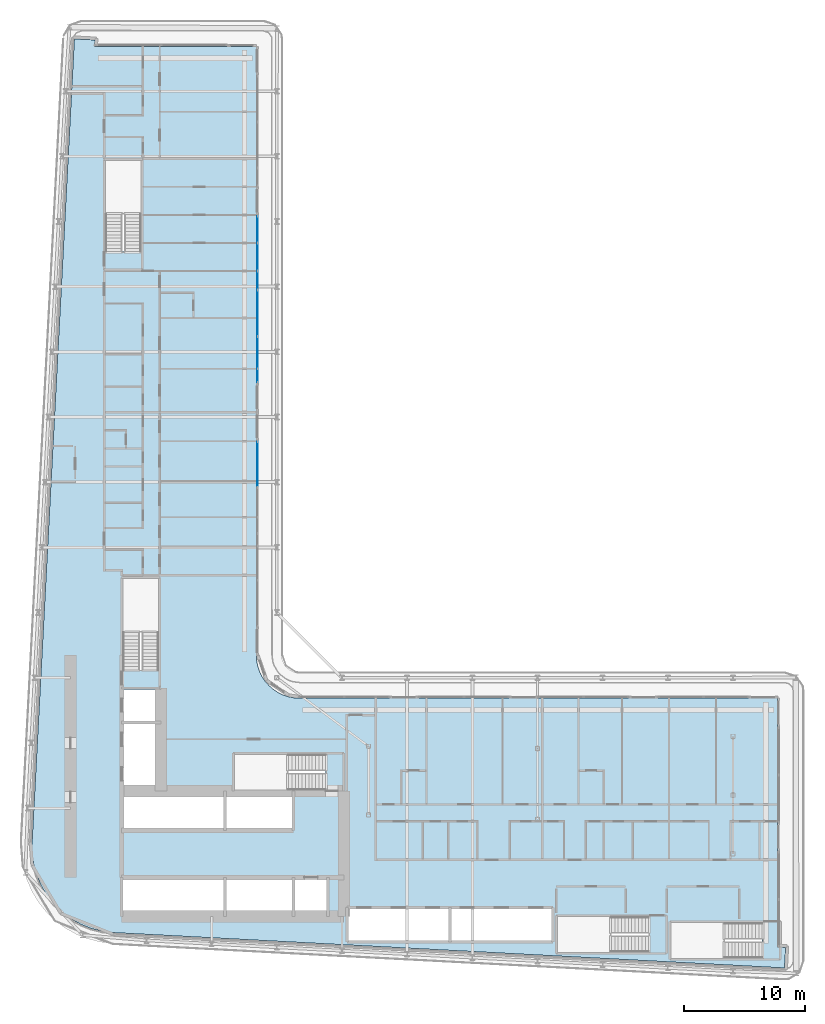
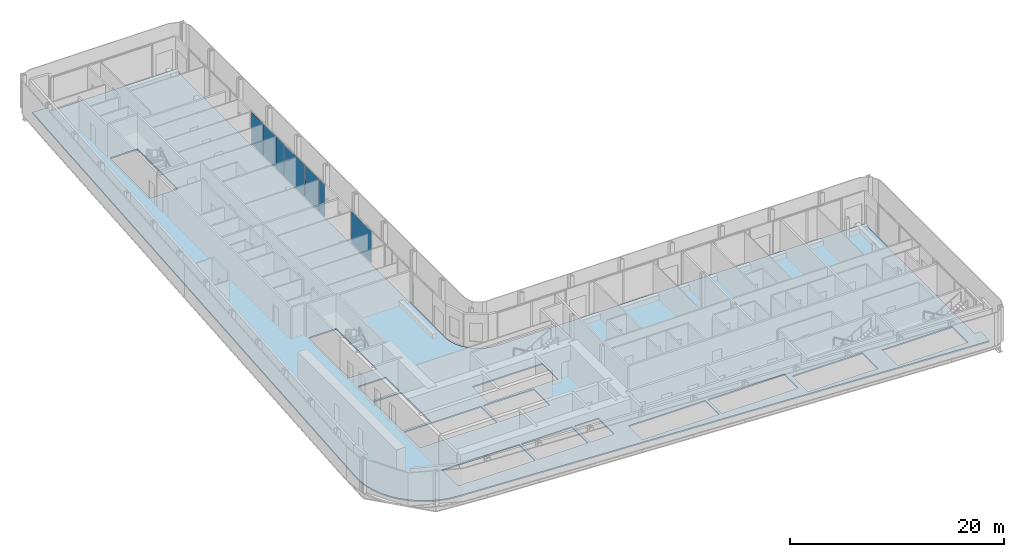
# One storey, part 10 of 25: 7 plates, 1 slab, 3 elements without a shape of their own.
"""IFC4 building model written with IfcOpenShell, lengths in metres."""

import ifcopenshell
import ifcopenshell.guid

model = None  # the IFC model being written
_history = None  # IfcOwnerHistory: only IFC2X3 demands one
_inside = {}  # id of a spatial element -> (the spatial element, [elements in it])
_under = {}  # id of a project, library or spatial element -> (it, [spatial elements below it])
_declared = {}  # id of a project -> (the project, [libraries it declares])
_typed = {}  # id of a type object -> (the type object, [elements of that type])
_made_of = {}  # id of a material, layer set ... -> (it, [elements and type objects made of it])


def new_model(schema):
    """Start an empty IFC model of exactly this schema.

    Asked for "IFC4X3", IfcOpenShell would pick the latest addendum, in which some entities
    have other attributes; the version numbers below select the first issue.
    IFC2X3 requires an IfcOwnerHistory on every rooted entity: one is made here for all.
    """
    global model, _history
    if schema == "IFC4X3":
        model = ifcopenshell.file(schema_version=(4, 3, 0, 0))
    else:
        model = ifcopenshell.file(schema=schema)
    _inside.clear()
    _under.clear()
    _declared.clear()
    _typed.clear()
    _made_of.clear()
    _history = None
    if model.schema == "IFC2X3":
        org = make("IfcOrganization", Name="unknown")
        user = make(
            "IfcPersonAndOrganization",
            ThePerson=make("IfcPerson", FamilyName="unknown"),
            TheOrganization=org,
        )
        app = make(
            "IfcApplication",
            ApplicationDeveloper=org,
            Version="unknown",
            ApplicationFullName="unknown",
            ApplicationIdentifier="unknown",
        )
        _history = make(
            "IfcOwnerHistory",
            OwningUser=user,
            OwningApplication=app,
            ChangeAction="ADDED",
            CreationDate=0,
        )
    return model


def make(cls, **values):
    """One entity of the class cls with the attributes given. An attribute that is None is left unset."""
    return model.create_entity(
        cls, **{name: value for name, value in values.items() if value is not None}
    )


def rooted(cls, **values):
    """An entity with a GlobalId (a new one), such as an element, a storey or a relation."""
    return make(cls, GlobalId=ifcopenshell.guid.new(), OwnerHistory=_history, **values)


def si_unit(unit_type, name, prefix=None):
    """IfcSIUnit, for example si_unit("LENGTHUNIT", "METRE", prefix="MILLI")."""
    return make("IfcSIUnit", UnitType=unit_type, Prefix=prefix, Name=name)


def assignment(units):
    """IfcUnitAssignment: the units of a project."""
    return None if units is None else make("IfcUnitAssignment", Units=units)


def point(xyz):
    """IfcCartesianPoint."""
    return None if xyz is None else make("IfcCartesianPoint", Coordinates=xyz)


def direction(xyz):
    """IfcDirection."""
    return None if xyz is None else make("IfcDirection", DirectionRatios=xyz)


def frame(location, z_axis=None, x_axis=None):
    """IfcAxis2Placement3D, a coordinate frame: its origin and axes. An axis left out is left unset."""
    return make(
        "IfcAxis2Placement3D",
        Location=point(location),
        Axis=direction(z_axis),
        RefDirection=direction(x_axis),
    )


def frame_2d(location, x_axis=None):
    """IfcAxis2Placement2D, a coordinate frame in the plane: its origin and x axis."""
    return make(
        "IfcAxis2Placement2D", Location=point(location), RefDirection=direction(x_axis)
    )


def origin():
    """The frame at (0, 0, 0) with its axes left unset."""
    return frame((0.0, 0.0, 0.0))


def origin_2d():
    """The frame at (0, 0) in the plane with its x axis left unset."""
    return frame_2d((0.0, 0.0))


def place(relative_to, where):
    """IfcLocalPlacement: puts the frame where relative to a parent placement (None: the world)."""
    return make(
        "IfcLocalPlacement", PlacementRelTo=relative_to, RelativePlacement=where
    )


def context(
    kind, dimensions, precision=None, world=None, true_north=None, identifier=None
):
    """IfcGeometricRepresentationContext, for example the 3D "Model" context."""
    return make(
        "IfcGeometricRepresentationContext",
        ContextIdentifier=identifier,
        ContextType=kind,
        CoordinateSpaceDimension=dimensions,
        Precision=precision,
        WorldCoordinateSystem=world,
        TrueNorth=true_north,
    )


def subcontext(parent, identifier, kind, view, scale=None):
    """IfcGeometricRepresentationSubContext, for example "Body" below "Model"."""
    return make(
        "IfcGeometricRepresentationSubContext",
        ContextIdentifier=identifier,
        ContextType=kind,
        ParentContext=parent,
        TargetScale=scale,
        TargetView=view,
    )


def project(units=None, contexts=None):
    """IfcProject with its units and contexts."""
    return rooted(
        "IfcProject",
        Name="project",
        RepresentationContexts=contexts,
        UnitsInContext=assignment(units),
    )


def spatial(cls, under=None, at=None, **own):
    """A site, building, storey or space (cls), placed at a placement, below another one or the project."""
    s = rooted(cls, ObjectPlacement=at, **own)
    if under is not None:
        _under.setdefault(under.id(), (under, []))[1].append(s)
    return s


def polyline(points):
    """IfcPolyline through the points."""
    return make("IfcPolyline", Points=[point(p) for p in points])


def profile(cls, at=None, kind="AREA", **sizes):
    """A parametric profile (cls). Its sizes go by their IFC names, for example OverallWidth=200.0."""
    return make(cls, ProfileType=kind, Position=at, **sizes)


def rectangle(**sizes):
    """IfcRectangleProfileDef."""
    return profile("IfcRectangleProfileDef", **sizes)


def outline(outer, holes=None, kind="AREA"):
    """IfcArbitraryClosedProfileDef: a profile drawn as a closed curve; with holes, ...WithVoids."""
    if holes is None:
        return make("IfcArbitraryClosedProfileDef", ProfileType=kind, OuterCurve=outer)
    return make(
        "IfcArbitraryProfileDefWithVoids",
        ProfileType=kind,
        OuterCurve=outer,
        InnerCurves=holes,
    )


def extrude(swept, where, along, depth):
    """IfcExtrudedAreaSolid: the profile swept, set in the frame where, extruded along a direction by depth."""
    return make(
        "IfcExtrudedAreaSolid",
        SweptArea=swept,
        Position=where,
        ExtrudedDirection=direction(along),
        Depth=depth,
    )


def shape(context_of_items, identifier, shape_type, items):
    """IfcShapeRepresentation: the items that make up one representation, for example the "Body"."""
    return make(
        "IfcShapeRepresentation",
        ContextOfItems=context_of_items,
        RepresentationIdentifier=identifier,
        RepresentationType=shape_type,
        Items=items,
    )


def material(Name=None, Category=None):
    """IfcMaterial."""
    return make("IfcMaterial", Name=Name, Category=Category)


def layer(
    of_material, thickness, ventilated=None, Name=None, Category=None, Priority=None
):
    """IfcMaterialLayer: one layer of a wall or slab, of a material (None: an air gap)."""
    return make(
        "IfcMaterialLayer",
        Material=of_material,
        LayerThickness=thickness,
        IsVentilated=ventilated,
        Name=Name,
        Category=Category,
        Priority=Priority,
    )


def layer_set(layers, Name=None):
    """IfcMaterialLayerSet."""
    return make("IfcMaterialLayerSet", MaterialLayers=layers, LayerSetName=Name)


def made_of(thing, what):
    """Note that an element or type object is made of a material, layer set ...; save() writes the relation."""
    if what is not None:
        _made_of.setdefault(what.id(), (what, []))[1].append(thing)
    return thing


def type_object(cls, material=None, **own):
    """A type object (cls), such as IfcWallType, which elements share."""
    return made_of(rooted(cls, **own), material)


def element(
    cls,
    number,
    at=None,
    inside=None,
    cuts=None,
    type_object=None,
    material=None,
    context=None,
    identifier="Body",
    shape_type=None,
    held_by="IfcProductDefinitionShape",
    body=None,
    shapes=None,
    **own,
):
    """One element of the class cls, such as IfcWall. Its Tag is "e" and its number.

    at: its placement. inside: the storey or other place that contains it. cuts: it is an
    opening in that element (IfcRelVoidsElement). A single representation is given by context,
    identifier, shape_type and body (its items); several are given by shapes. held_by: the class
    of the entity that holds the representations. save() writes the other relations.
    """
    e = rooted(cls, Tag="e%d" % number, ObjectPlacement=at, **own)
    if body is not None:
        shapes = [shape(context, identifier, shape_type, body)]
    if shapes is not None:
        e.Representation = make(held_by, Representations=shapes)
    if inside is not None:
        _inside.setdefault(inside.id(), (inside, []))[1].append(e)
    if cuts is not None:
        rooted(
            "IfcRelVoidsElement", RelatingBuildingElement=cuts, RelatedOpeningElement=e
        )
    if type_object is not None:
        _typed.setdefault(type_object.id(), (type_object, []))[1].append(e)
    return made_of(e, material)


def aggregate(whole, parts):
    """IfcRelAggregates: a whole, such as a stair, and the parts it consists of."""
    return rooted("IfcRelAggregates", RelatingObject=whole, RelatedObjects=parts)


def save(model, path):
    """Write the relations noted so far, then the file.

    IfcRelAggregates (storeys below a building ...), IfcRelContainedInSpatialStructure (elements
    in a storey), IfcRelDefinesByType, IfcRelAssociatesMaterial and IfcRelDeclares: one each for
    every whole, place, type object, material and project.
    """
    for whole, parts in _under.values():
        aggregate(whole, parts)
    for where, things in _inside.values():
        rooted(
            "IfcRelContainedInSpatialStructure",
            RelatedElements=things,
            RelatingStructure=where,
        )
    for kind, things in _typed.values():
        rooted("IfcRelDefinesByType", RelatedObjects=things, RelatingType=kind)
    for what, things in _made_of.values():
        rooted("IfcRelAssociatesMaterial", RelatedObjects=things, RelatingMaterial=what)
    for by, libraries in _declared.values():
        rooted("IfcRelDeclares", RelatingContext=by, RelatedDefinitions=libraries)
    model.write(path)


model = new_model("IFC4")

# Units and contexts
model_context = context("Model", 3, precision=1e-05, world=origin(), true_north=direction((0.0, 1.0)))
body_context = subcontext(model_context, "Body", "Model", "MODEL_VIEW")
ifc_project = project(units=[si_unit("LENGTHUNIT", "METRE"), si_unit("AREAUNIT", "SQUARE_METRE"), si_unit("VOLUMEUNIT", "CUBIC_METRE"), si_unit("PLANEANGLEUNIT", "RADIAN"), si_unit("MASSUNIT", "GRAM", prefix="KILO")], contexts=[model_context])

# Site, building, storey
site_placement = place(None, origin())
site = spatial("IfcSite", under=ifc_project, at=site_placement, CompositionType="ELEMENT")
building_placement = place(site_placement, origin())
building = spatial("IfcBuilding", under=site, at=building_placement, Name="Kheshtan School and Residences Tower", CompositionType="ELEMENT")
storey_placement = place(building_placement, frame((0.0, 0.0, 34.39990234375)))
storey = spatial("IfcBuildingStorey", under=building, at=storey_placement, Name="L07", CompositionType="ELEMENT", Elevation=34.39990234375)

# Curtain wall, plates
ifc_material_1 = material(Name="Clear low-e glass in thermally broken aluminium frame", Category="aluminium")
ifc_layer_1 = layer(ifc_material_1, 0.199951171875)
ifc_layer_set_1 = layer_set([ifc_layer_1], Name="Curtain wall CW-L")
curtain_wall_type = type_object("IfcCurtainWallType", Name="Curtain wall CW-L", PredefinedType="NOTDEFINED", material=ifc_layer_set_1)
curtain_wall_1_placement = place(storey_placement, origin())
curtain_wall_1 = element("IfcCurtainWall", 1, at=curtain_wall_1_placement, inside=storey, type_object=curtain_wall_type, Name="Curtain wall CWL8b", PredefinedType="NOTDEFINED")
ifc_layer_2 = layer(ifc_material_1, 0.031982421875)
ifc_layer_set_2 = layer_set([ifc_layer_2], Name="CW-L glass panel")
plate_type = type_object("IfcPlateType", Name="CW-L glass panel", PredefinedType="CURTAIN_PANEL", material=ifc_layer_set_2)
plate_1_placement = place(storey_placement, frame((46.0, 82.75048828125, 0.000244140625), z_axis=(0.0, 0.0, 1.0), x_axis=(0.0, -1.0, 0.0)))
plate_1 = element("IfcPlate", 2, at=plate_1_placement, type_object=plate_type, Name="CWL8b panel 1.1", PredefinedType="CURTAIN_PANEL", context=body_context, shape_type="SweptSolid", body=[
    extrude(rectangle(XDim=2.19091796875, YDim=0.031982421875, at=origin_2d()), origin(), (0.0, 0.0, 1.0), 3.6298828125),
])
plate_2_placement = place(storey_placement, frame((46.0, 80.46240234375, 0.000244140625), z_axis=(0.0, 0.0, 1.0), x_axis=(0.0, -1.0, 0.0)))
plate_2 = element("IfcPlate", 3, at=plate_2_placement, type_object=plate_type, Name="CWL8b panel 2.1", PredefinedType="CURTAIN_PANEL", context=body_context, shape_type="SweptSolid", body=[
    extrude(rectangle(XDim=2.264892578125, YDim=0.031982421875, at=origin_2d()), origin(), (0.0, 0.0, 1.0), 3.6298828125),
])
plate_3_placement = place(storey_placement, frame((46.0, 78.52099609375, 0.000244140625), z_axis=(0.0, 0.0, 1.0), x_axis=(0.0, -1.0, 0.0)))
plate_3 = element("IfcPlate", 4, at=plate_3_placement, type_object=plate_type, Name="CWL8b panel 3.1", PredefinedType="CURTAIN_PANEL", context=body_context, shape_type="SweptSolid", body=[
    extrude(rectangle(XDim=1.498046875, YDim=0.031982421875, at=origin_2d()), origin(), (0.0, 0.0, 1.0), 3.6298828125),
])
aggregate(curtain_wall_1, [plate_1, plate_2, plate_3])

curtain_wall_2_placement = place(storey_placement, origin())
curtain_wall_2 = element("IfcCurtainWall", 5, at=curtain_wall_2_placement, inside=storey, type_object=curtain_wall_type, Name="Curtain wall CWL8c", PredefinedType="NOTDEFINED")
plate_4_placement = place(storey_placement, frame((46.0, 75.803466796875, 0.000244140625), z_axis=(0.0, 0.0, 1.0), x_axis=(0.0, -1.0, 0.0)))
plate_4 = element("IfcPlate", 6, at=plate_4_placement, type_object=plate_type, Name="CWL8c panel 1.1", PredefinedType="CURTAIN_PANEL", context=body_context, shape_type="SweptSolid", body=[
    extrude(rectangle(XDim=3.81689453125, YDim=0.031982421875, at=origin_2d()), origin(), (0.0, 0.0, 1.0), 3.6298828125),
])
plate_5_placement = place(storey_placement, frame((46.0, 72.532470703125, 0.000244140625), z_axis=(0.0, 0.0, 1.0), x_axis=(0.0, -1.0, 0.0)))
plate_5 = element("IfcPlate", 7, at=plate_5_placement, type_object=plate_type, Name="CWL8c panel 2.1", PredefinedType="CURTAIN_PANEL", context=body_context, shape_type="SweptSolid", body=[
    extrude(rectangle(XDim=2.60498046875, YDim=0.031982421875, at=origin_2d()), origin(), (0.0, 0.0, 1.0), 3.6298828125),
])
plate_6_placement = place(storey_placement, frame((46.0, 70.6240234375, 0.000244140625), z_axis=(0.0, 0.0, 1.0), x_axis=(0.0, -1.0, 0.0)))
plate_6 = element("IfcPlate", 8, at=plate_6_placement, type_object=plate_type, Name="CWL8c panel 3.1", PredefinedType="CURTAIN_PANEL", context=body_context, shape_type="SweptSolid", body=[
    extrude(rectangle(XDim=1.092041015625, YDim=0.031982421875, at=origin_2d()), origin(), (0.0, 0.0, 1.0), 3.6298828125),
])
aggregate(curtain_wall_2, [plate_4, plate_5, plate_6])

# Curtain wall, plate
curtain_wall_3_placement = place(storey_placement, origin())
curtain_wall_3 = element("IfcCurtainWall", 9, at=curtain_wall_3_placement, inside=storey, type_object=curtain_wall_type, Name="Curtain wall CWL8c", PredefinedType="NOTDEFINED")
plate_7_placement = place(storey_placement, frame((46.0, 63.279541015625, 0.000244140625), z_axis=(0.0, 0.0, 1.0), x_axis=(0.0, -1.0, 0.0)))
plate_7 = element("IfcPlate", 10, at=plate_7_placement, type_object=plate_type, Name="CWL8c panel 1.1", PredefinedType="CURTAIN_PANEL", context=body_context, shape_type="SweptSolid", body=[
    extrude(rectangle(XDim=3.757080078125, YDim=0.031982421875, at=origin_2d()), origin(), (0.0, 0.0, 1.0), 3.6298828125),
])
aggregate(curtain_wall_3, [plate_7])

# Slab
ifc_material_2 = material(Name="Concrete C40/50", Category="concrete")
ifc_layer_3 = layer(ifc_material_2, 0.14990234375)
ifc_layer_set_3 = layer_set([ifc_layer_3], Name="Floor slab 150 Concrete C40/50")
slab_type = type_object("IfcSlabType", Name="Floor slab 150 Concrete C40/50", PredefinedType="FLOOR", material=ifc_layer_set_3)
slab_placement = place(storey_placement, frame((0.0, 0.0, -0.14990234375)))
element("IfcSlab", 11, at=slab_placement, inside=storey, type_object=slab_type, Name="Floor slab L07", PredefinedType="FLOOR", context=body_context, shape_type="SweptSolid", body=[
    extrude(outline(polyline([(27.718017578125, 29.200927734375), (27.466064453125, 30.093017578125), (27.466064453125, 30.093994140625), (27.3330078125, 31.013916015625), (27.320068359375, 31.965087890625), (27.320068359375, 31.970947265625), (30.822021484375, 98.5009765625), (30.822998046875, 98.508056640625), (30.825927734375, 98.531005859375), (30.825927734375, 98.531982421875), (30.826904296875, 98.531982421875), (31.422119140625, 98.5), (31.423095703125, 98.5), (31.423095703125, 98.4990234375), (31.423095703125, 98.4951171875), (31.423095703125, 98.493896484375), (31.424072265625, 98.493896484375), (31.424072265625, 98.492919921875), (31.425048828125, 98.492919921875), (31.426025390625, 98.492919921875), (31.426025390625, 98.493896484375), (31.427978515625, 98.49609375), (31.428955078125, 98.4970703125), (31.429931640625, 98.498046875), (31.430908203125, 98.498046875), (31.430908203125, 98.4990234375), (31.431884765625, 98.4990234375), (31.431884765625, 98.5), (31.43505859375, 98.5009765625), (31.43603515625, 98.501953125), (31.43896484375, 98.501953125), (31.43994140625, 98.501953125), (31.43994140625, 98.5029296875), (31.44091796875, 98.5029296875), (31.446044921875, 98.5029296875), (32.5009765625, 98.447021484375), (32.50390625, 98.447021484375), (32.5048828125, 98.447021484375), (32.5048828125, 98.446044921875), (32.506103515625, 98.446044921875), (32.510009765625, 98.446044921875), (32.510009765625, 98.445068359375), (32.510986328125, 98.445068359375), (32.510986328125, 98.444091796875), (32.511962890625, 98.444091796875), (32.511962890625, 98.443115234375), (32.512939453125, 98.443115234375), (32.513916015625, 98.443115234375), (32.513916015625, 98.44189453125), (32.514892578125, 98.44189453125), (32.51611328125, 98.44189453125), (32.51904296875, 98.43896484375), (32.51904296875, 98.43798828125), (32.51904296875, 98.43701171875), (32.52001953125, 98.43701171875), (32.52001953125, 98.43603515625), (32.52099609375, 98.43603515625), (32.52099609375, 98.43408203125), (32.52099609375, 98.43310546875), (32.52197265625, 98.43310546875), (32.52197265625, 98.431884765625), (32.52294921875, 98.431884765625), (32.52294921875, 98.430908203125), (32.52294921875, 98.428955078125), (32.52294921875, 98.427978515625), (32.52392578125, 98.427978515625), (32.52392578125, 98.427001953125), (32.52392578125, 98.422119140625), (32.4970703125, 97.9208984375), (32.4970703125, 97.91796875), (32.4970703125, 97.9169921875), (32.49609375, 97.9169921875), (32.49609375, 97.916015625), (32.49609375, 97.912109375), (32.4951171875, 97.910888671875), (32.4951171875, 97.909912109375), (32.493896484375, 97.909912109375), (32.493896484375, 97.908935546875), (32.492919921875, 97.908935546875), (32.492919921875, 97.907958984375), (32.489013671875, 97.904052734375), (32.488037109375, 97.904052734375), (32.488037109375, 97.903076171875), (32.488037109375, 97.902099609375), (32.488037109375, 97.90087890625), (32.489013671875, 97.90087890625), (32.489013671875, 97.89990234375), (32.489990234375, 97.89990234375), (45.85498046875, 97.89990234375), (45.864990234375, 97.89794921875), (45.865966796875, 97.89794921875), (45.868896484375, 97.89599609375), (45.8740234375, 97.89404296875), (45.8779296875, 97.89208984375), (45.881103515625, 97.889892578125), (45.881103515625, 97.888916015625), (45.882080078125, 97.888916015625), (45.882080078125, 97.887939453125), (45.883056640625, 97.887939453125), (45.884033203125, 97.885009765625), (45.885009765625, 97.885009765625), (45.885009765625, 97.884033203125), (45.887939453125, 97.883056640625), (45.887939453125, 97.882080078125), (45.888916015625, 97.882080078125), (45.888916015625, 97.881103515625), (45.889892578125, 97.881103515625), (45.89208984375, 97.8779296875), (45.89404296875, 97.8740234375), (45.89599609375, 97.868896484375), (45.89794921875, 97.865966796875), (45.89794921875, 97.864990234375), (45.89990234375, 97.85498046875), (45.89990234375, 47.429931640625), (45.927001953125, 47.030029296875), (46.01806640625, 46.570068359375), (46.01806640625, 46.569091796875), (46.169921875, 46.1201171875), (46.37890625, 45.697021484375), (46.638916015625, 45.30810546875), (46.949951171875, 44.950927734375), (46.950927734375, 44.949951171875), (47.30810546875, 44.638916015625), (47.697021484375, 44.37890625), (48.1201171875, 44.169921875), (48.569091796875, 44.01806640625), (48.570068359375, 44.01806640625), (49.030029296875, 43.927001953125), (49.429931640625, 43.89990234375), (89.054931640625, 43.89990234375), (89.06494140625, 43.89794921875), (89.06591796875, 43.89794921875), (89.069091796875, 43.89599609375), (89.073974609375, 43.89404296875), (89.077880859375, 43.89208984375), (89.0810546875, 43.889892578125), (89.0810546875, 43.888916015625), (89.08203125, 43.888916015625), (89.08203125, 43.887939453125), (89.0830078125, 43.887939453125), (89.083984375, 43.885009765625), (89.0849609375, 43.885009765625), (89.0849609375, 43.884033203125), (89.087890625, 43.883056640625), (89.087890625, 43.882080078125), (89.089111328125, 43.882080078125), (89.089111328125, 43.881103515625), (89.090087890625, 43.881103515625), (89.092041015625, 43.8779296875), (89.093994140625, 43.8740234375), (89.095947265625, 43.868896484375), (89.097900390625, 43.865966796875), (89.097900390625, 43.864990234375), (89.10009765625, 43.85498046875), (89.10009765625, 23.278076171875), (89.10009765625, 23.277099609375), (89.10107421875, 23.277099609375), (89.10107421875, 23.27587890625), (89.10205078125, 23.27587890625), (89.10302734375, 23.27587890625), (89.10302734375, 23.277099609375), (89.10498046875, 23.279052734375), (89.10595703125, 23.280029296875), (89.10693359375, 23.281005859375), (89.10791015625, 23.281005859375), (89.10791015625, 23.281982421875), (89.10888671875, 23.281982421875), (89.10888671875, 23.282958984375), (89.110107421875, 23.282958984375), (89.112060546875, 23.283935546875), (89.113037109375, 23.284912109375), (89.115966796875, 23.284912109375), (89.116943359375, 23.284912109375), (89.116943359375, 23.285888671875), (89.117919921875, 23.285888671875), (89.123046875, 23.285888671875), (89.738037109375, 23.2529296875), (89.740966796875, 23.2529296875), (89.741943359375, 23.2529296875), (89.741943359375, 23.251953125), (89.742919921875, 23.251953125), (89.7470703125, 23.251953125), (89.7470703125, 23.2509765625), (89.748046875, 23.2509765625), (89.748046875, 23.25), (89.7490234375, 23.25), (89.7490234375, 23.2490234375), (89.75, 23.2490234375), (89.7509765625, 23.2490234375), (89.7509765625, 23.248046875), (89.751953125, 23.248046875), (89.7529296875, 23.248046875), (89.7529296875, 23.2470703125), (89.7548828125, 23.2451171875), (89.756103515625, 23.2451171875), (89.756103515625, 23.243896484375), (89.756103515625, 23.242919921875), (89.757080078125, 23.242919921875), (89.757080078125, 23.241943359375), (89.758056640625, 23.241943359375), (89.758056640625, 23.239990234375), (89.758056640625, 23.239013671875), (89.759033203125, 23.239013671875), (89.759033203125, 23.238037109375), (89.760009765625, 23.238037109375), (89.760009765625, 23.237060546875), (89.760009765625, 23.235107421875), (89.760009765625, 23.23388671875), (89.760986328125, 23.23388671875), (89.760986328125, 23.23291015625), (89.760986328125, 23.22802734375), (89.705078125, 22.169921875), (89.705078125, 22.1669921875), (89.705078125, 22.166015625), (89.7041015625, 22.166015625), (89.7041015625, 22.1650390625), (89.7041015625, 22.160888671875), (89.702880859375, 22.159912109375), (89.702880859375, 22.158935546875), (89.701904296875, 22.158935546875), (89.701904296875, 22.157958984375), (89.700927734375, 22.157958984375), (89.700927734375, 22.156982421875), (89.699951171875, 22.156005859375), (89.697998046875, 22.154052734375), (89.697021484375, 22.153076171875), (89.696044921875, 22.153076171875), (89.696044921875, 22.152099609375), (89.696044921875, 22.15087890625), (89.696044921875, 22.14990234375), (89.697021484375, 22.14990234375), (89.697021484375, 22.14892578125), (89.697998046875, 22.14892578125), (89.698974609375, 22.14892578125), (89.699951171875, 22.14892578125), (89.699951171875, 22.14794921875), (89.66796875, 21.553955078125), (89.66796875, 21.552978515625), (89.6669921875, 21.552978515625), (89.64306640625, 21.552001953125), (89.637939453125, 21.552001953125), (34.056884765625, 24.47802734375), (33.114990234375, 24.590087890625), (32.215087890625, 24.819091796875), (32.214111328125, 24.819091796875), (31.35205078125, 25.1630859375), (30.541015625, 25.616943359375), (29.799072265625, 26.1708984375), (29.799072265625, 26.172119140625), (29.798095703125, 26.172119140625), (29.134033203125, 26.820068359375), (29.134033203125, 26.821044921875), (29.133056640625, 26.821044921875), (28.55908203125, 27.550048828125), (28.0849609375, 28.345947265625), (27.718017578125, 29.200927734375)]), holes=[polyline([(89.10009765625, 22.155029296875), (89.10009765625, 22.15087890625), (89.10009765625, 22.14990234375), (89.10107421875, 22.14990234375), (89.10107421875, 22.14892578125), (89.10205078125, 22.14892578125), (89.10595703125, 22.14892578125), (89.10693359375, 22.14892578125), (89.10693359375, 22.14990234375), (89.10791015625, 22.14990234375), (89.10791015625, 22.15087890625), (89.10791015625, 22.152099609375), (89.10693359375, 22.152099609375), (89.10595703125, 22.153076171875), (89.10498046875, 22.154052734375), (89.10400390625, 22.155029296875), (89.10302734375, 22.156005859375), (89.10302734375, 22.156982421875), (89.10205078125, 22.156982421875), (89.10107421875, 22.156982421875), (89.10107421875, 22.156005859375), (89.10009765625, 22.156005859375), (89.10009765625, 22.155029296875)]), polyline([(31.423095703125, 97.906005859375), (31.423095703125, 97.902099609375), (31.423095703125, 97.90087890625), (31.424072265625, 97.90087890625), (31.424072265625, 97.89990234375), (31.425048828125, 97.89990234375), (31.428955078125, 97.89990234375), (31.429931640625, 97.89990234375), (31.429931640625, 97.90087890625), (31.430908203125, 97.90087890625), (31.430908203125, 97.902099609375), (31.430908203125, 97.903076171875), (31.429931640625, 97.903076171875), (31.428955078125, 97.904052734375), (31.427978515625, 97.905029296875), (31.427001953125, 97.906005859375), (31.426025390625, 97.906982421875), (31.426025390625, 97.907958984375), (31.425048828125, 97.907958984375), (31.424072265625, 97.907958984375), (31.424072265625, 97.906982421875), (31.423095703125, 97.906982421875), (31.423095703125, 97.906005859375)]), polyline([(34.875, 28.925048828125), (34.875, 25.925048828125), (43.175048828125, 25.925048828125), (43.175048828125, 28.925048828125), (34.875, 28.925048828125)]), polyline([(43.425048828125, 25.925048828125), (48.875, 25.925048828125), (48.875, 28.925048828125), (43.425048828125, 28.925048828125), (43.425048828125, 25.925048828125)]), polyline([(43.175048828125, 36.074951171875), (34.875, 36.074951171875), (34.875, 33.074951171875), (43.175048828125, 33.074951171875), (43.175048828125, 36.074951171875)]), polyline([(34.875, 41.77490234375), (34.875, 36.324951171875), (37.875, 36.324951171875), (37.875, 41.77490234375), (34.875, 41.77490234375)]), polyline([(34.875, 44.625), (34.875, 42.02490234375), (37.875, 42.02490234375), (37.875, 44.625), (34.875, 44.625)]), polyline([(37.800048828125, 46.25), (37.800048828125, 53.81005859375), (34.85009765625, 53.81005859375), (34.85009765625, 46.260009765625), (36.25, 46.260009765625), (36.25, 46.25), (37.800048828125, 46.25)]), polyline([(33.39990234375, 88.4599609375), (33.39990234375, 80.909912109375), (34.800048828125, 80.909912109375), (34.800048828125, 80.89990234375), (36.35009765625, 80.89990234375), (36.35009765625, 88.4599609375), (33.39990234375, 88.4599609375)]), polyline([(87.81005859375, 22.35009765625), (87.81005859375, 23.75), (87.820068359375, 23.75), (87.820068359375, 25.300048828125), (80.260009765625, 25.300048828125), (80.260009765625, 22.35009765625), (87.81005859375, 22.35009765625)]), polyline([(70.85009765625, 22.85009765625), (78.39990234375, 22.85009765625), (78.39990234375, 24.25), (78.409912109375, 24.25), (78.409912109375, 25.800048828125), (70.85009765625, 25.800048828125), (70.85009765625, 22.85009765625)]), polyline([(61.824951171875, 26.425048828125), (53.52490234375, 26.425048828125), (53.52490234375, 23.824951171875), (61.824951171875, 23.824951171875), (61.824951171875, 26.425048828125)]), polyline([(62.074951171875, 23.824951171875), (70.375, 23.824951171875), (70.375, 26.425048828125), (62.074951171875, 26.425048828125), (62.074951171875, 23.824951171875)]), polyline([(49.125, 28.925048828125), (49.125, 25.925048828125), (51.72509765625, 25.925048828125), (51.72509765625, 28.925048828125), (49.125, 28.925048828125)]), polyline([(43.425048828125, 33.074951171875), (48.875, 33.074951171875), (48.875, 36.074951171875), (43.425048828125, 36.074951171875), (43.425048828125, 33.074951171875)]), polyline([(51.64990234375, 39.25), (44.090087890625, 39.25), (44.090087890625, 36.300048828125), (51.639892578125, 36.300048828125), (51.639892578125, 37.699951171875), (51.64990234375, 37.699951171875), (51.64990234375, 39.25)])]), origin(), (0.0, 0.0, 1.0), 0.14990234375),
])

save(model, "model.ifc")
